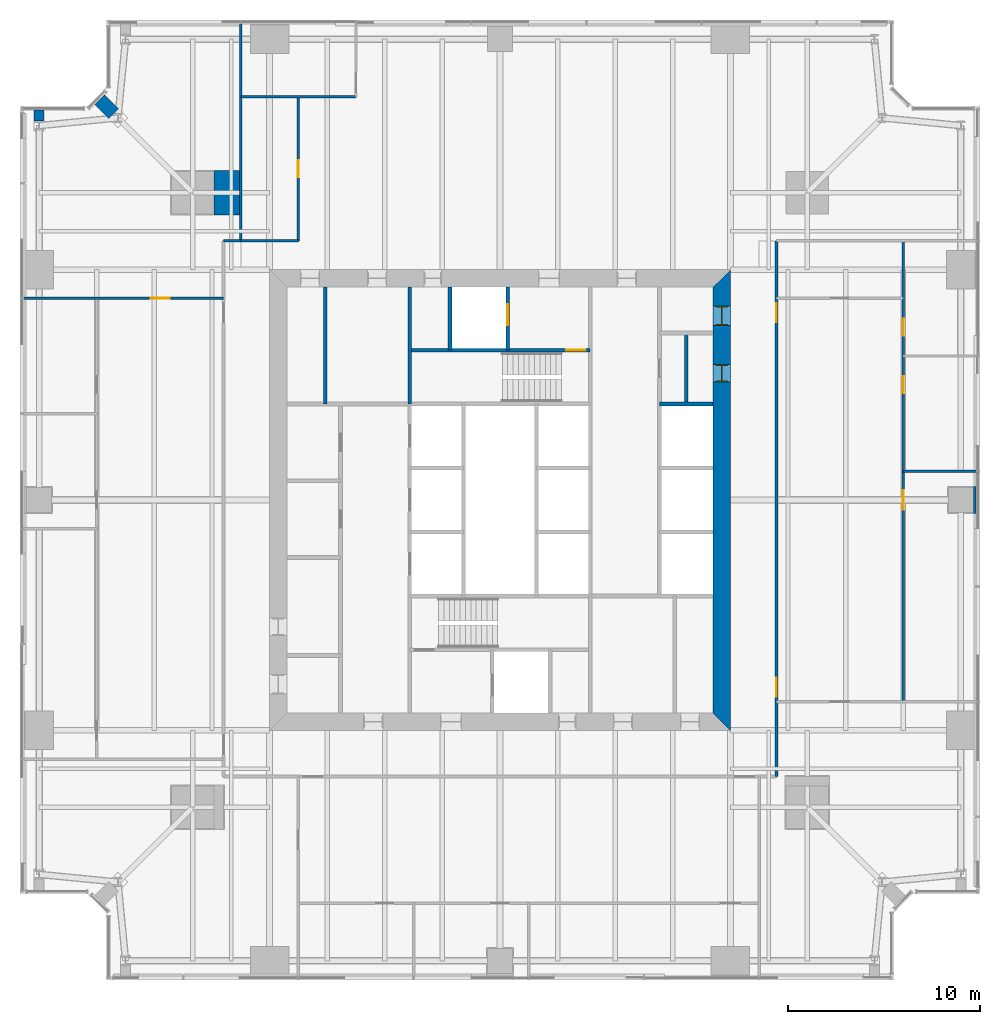
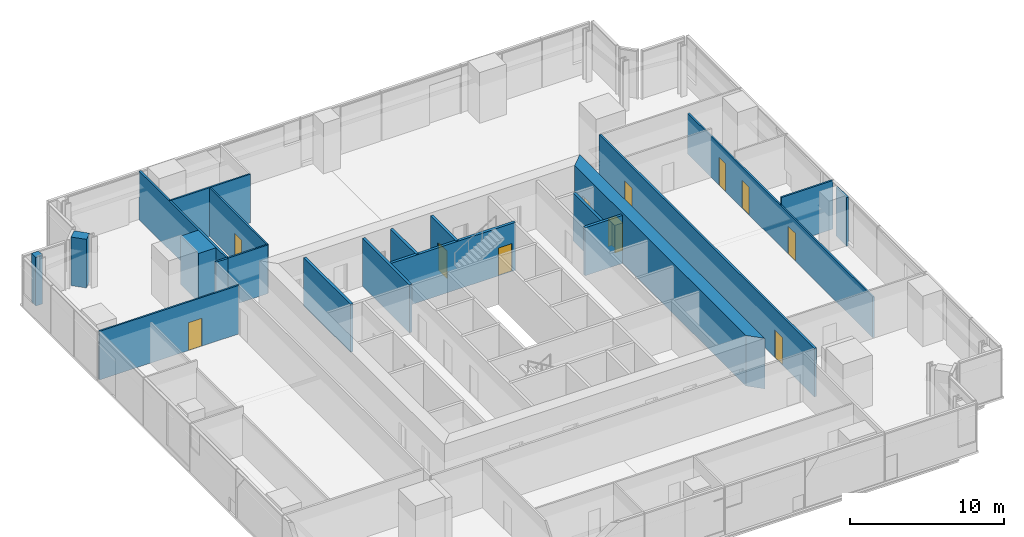
# One storey, part 11 of 14: 21 walls, 11 doors, 11 openings.
"""IFC4 building model written with IfcOpenShell, lengths in metres."""

from ifc_helpers import new_model, si_unit, direction, frame, frame_2d, origin, place, context, subcontext, project, spatial, polyline, rectangle, outline, extrude, material, layer, layer_set, type_object, element, fill, save


model = new_model("IFC4")

# Units and contexts
model_context = context("Model", 3, precision=1e-05, world=origin(), true_north=direction((0.0, 1.0)))
body_context = subcontext(model_context, "Body", "Model", "MODEL_VIEW")
ifc_project = project(units=[si_unit("LENGTHUNIT", "METRE"), si_unit("AREAUNIT", "SQUARE_METRE"), si_unit("VOLUMEUNIT", "CUBIC_METRE"), si_unit("PLANEANGLEUNIT", "RADIAN"), si_unit("MASSUNIT", "GRAM", prefix="KILO")], contexts=[model_context])

# Site, building, storey
site_placement = place(None, origin())
site = spatial("IfcSite", under=ifc_project, at=site_placement, CompositionType="ELEMENT")
building_placement = place(site_placement, origin())
building = spatial("IfcBuilding", under=site, at=building_placement, Name="Fenwick Lantern Interchange", CompositionType="ELEMENT")
storey_placement = place(building_placement, frame((0.0, 0.0, 150.39990234375)))
storey = spatial("IfcBuildingStorey", under=building, at=storey_placement, Name="L35", CompositionType="ELEMENT", Elevation=150.39990234375)

# Walls
ifc_material_1 = material(Name="Fire-rated gypsum board encasement on steel studs, 2 hour", Category="steel")
ifc_layer_1 = layer(ifc_material_1, 1.39990234375)
ifc_layer_set_1 = layer_set([ifc_layer_1], Name="COLUMN PIER 1400")
wall_type_1 = type_object("IfcWallType", Name="COLUMN PIER 1400", PredefinedType="PARTITIONING", material=ifc_layer_set_1)
wall_1_placement = place(storey_placement, frame((49.800048828125, 25.0, 0.0), z_axis=(0.0, 0.0, 1.0), x_axis=(-1.0, 0.0, 0.0)))
element("IfcWall", 1, at=wall_1_placement, inside=storey, type_object=wall_type_1, Name="L35/W/PIER/CE3", PredefinedType="PARTITIONING", context=body_context, shape_type="SweptSolid", body=[
    extrude(rectangle(XDim=0.150146484375, YDim=1.39990234375, at=frame_2d((0.0751953125, 0.0))), origin(), (0.0, 0.0, 1.0), 3.85009765625),
])
ifc_layer_2 = layer(ifc_material_1, 2.300048828125)
ifc_layer_set_2 = layer_set([ifc_layer_2], Name="COLUMN PIER 2300")
wall_type_2 = type_object("IfcWallType", Name="COLUMN PIER 2300", PredefinedType="PARTITIONING", material=ifc_layer_set_2)
wall_2_placement = place(storey_placement, frame((11.425048828125, 41.0, 0.0), z_axis=(0.0, 0.0, 1.0), x_axis=(-1.0, 0.0, 0.0)))
element("IfcWall", 2, at=wall_2_placement, inside=storey, type_object=wall_type_2, Name="L35/W/PIER/M4", PredefinedType="PARTITIONING", context=body_context, shape_type="SweptSolid", body=[
    extrude(rectangle(XDim=1.324951171875, YDim=2.300048828125, at=frame_2d((0.66259765625, 0.0))), origin(), (0.0, 0.0, 1.0), 3.85009765625),
])
ifc_layer_3 = layer(ifc_material_1, 0.52392578125)
ifc_layer_set_3 = layer_set([ifc_layer_3], Name="COLUMN PIER 524")
wall_type_3 = type_object("IfcWallType", Name="COLUMN PIER 524", PredefinedType="PARTITIONING", material=ifc_layer_set_3)
wall_3_placement = place(storey_placement, frame((1.0, 45.300048828125, 0.0), z_axis=(0.0, 0.0, 1.0), x_axis=(0.0, -1.0, 0.0)))
element("IfcWall", 3, at=wall_3_placement, inside=storey, type_object=wall_type_3, Name="L35/W/PIER/CW1", PredefinedType="PARTITIONING", context=body_context, shape_type="SweptSolid", body=[
    extrude(rectangle(XDim=0.5625, YDim=0.52392578125, at=frame_2d((0.28125, 0.0))), origin(), (0.0, 0.0, 1.0), 3.85009765625),
])
ifc_layer_4 = layer(ifc_material_1, 0.736083984375)
ifc_layer_set_4 = layer_set([ifc_layer_4], Name="COLUMN PIER 736")
wall_type_4 = type_object("IfcWallType", Name="COLUMN PIER 736", PredefinedType="PARTITIONING", material=ifc_layer_set_4)
wall_4_placement = place(storey_placement, frame((4.141357421875, 45.858642578125, 0.0), z_axis=(0.0, 0.0, 1.0), x_axis=(0.707106781187, -0.707106781187, 0.0)))
element("IfcWall", 4, at=wall_4_placement, inside=storey, type_object=wall_type_4, Name="L35/W/PIER/CNR", PredefinedType="PARTITIONING", context=body_context, shape_type="SweptSolid", body=[
    extrude(rectangle(XDim=1.037841796875, YDim=0.736083984375, at=frame_2d((0.51904296875, 0.0))), origin(), (0.0, 0.0, 1.0), 3.85009765625),
])
ifc_material_2 = material(Name="Concrete masonry ASTM C90 Grade N", Category="masonry")
ifc_layer_5 = layer(ifc_material_2, 0.199951171875)
ifc_layer_set_5 = layer_set([ifc_layer_5], Name="Concrete masonry ASTM C90 Grade N")
wall_type_5 = type_object("IfcWallType", Name="CORE PARTITION 200", PredefinedType="PARTITIONING", material=ifc_layer_set_5)
wall_5_placement = place(storey_placement, frame((36.10009765625, 30.0, 0.0), z_axis=(0.0, 0.0, 1.0), x_axis=(-1.0, 0.0, 0.0)))
element("IfcWall", 5, at=wall_5_placement, inside=storey, type_object=wall_type_5, Name="L35/W/COREN/c2", PredefinedType="PARTITIONING", context=body_context, shape_type="SweptSolid", body=[
    extrude(rectangle(XDim=2.800048828125, YDim=0.199951171875, at=frame_2d((1.39990234375, 0.0))), origin(), (0.0, 0.0, 1.0), 3.800048828125),
])

# Wall, opening, door
wall_6_placement = place(storey_placement, frame((25.39990234375, 36.10009765625, 0.0), z_axis=(0.0, 0.0, 1.0), x_axis=(0.0, -1.0, 0.0)))
wall_6 = element("IfcWall", 6, at=wall_6_placement, inside=storey, type_object=wall_type_5, Name="L35/W/COREN/h1", PredefinedType="PARTITIONING", context=body_context, shape_type="SweptSolid", body=[
    extrude(rectangle(XDim=3.300048828125, YDim=0.199951171875, at=frame_2d((1.64990234375, 0.0))), origin(), (0.0, 0.0, 1.0), 3.800048828125),
])
opening_1_placement = place(wall_6_placement, frame((0.89990234375, 0.0, 0.0)))
opening_1 = element("IfcOpeningElement", 7, at=opening_1_placement, cuts=wall_6, Name="Opening LD-FL2", PredefinedType="OPENING", context=body_context, shape_type="SweptSolid", body=[
    extrude(rectangle(XDim=1.10009765625, YDim=2.199951171875, at=frame_2d((0.550048828125, 1.10009765625))), frame((0.0, 0.10986328125, 0.0), z_axis=(0.0, -1.0, 0.0), x_axis=(1.0, 0.0, 0.0)), (0.0, 0.0, 1.0), 0.219970703125),
])
ifc_material_3 = material(Name="Steel door and frame", Category="steel")
door_type_1 = type_object("IfcDoorType", Name="LIFT LANDING DOOR 1100 X 2200", OperationType="DOUBLE_DOOR_SLIDING", PredefinedType="DOOR", material=ifc_material_3)
door_1_placement = place(opening_1_placement, origin())
door_1 = element("IfcDoor", 8, at=door_1_placement, inside=storey, type_object=door_type_1, Name="Lift landing door FL2", OperationType="DOUBLE_DOOR_SLIDING", OverallHeight=2.199951171875, OverallWidth=1.10009765625, PredefinedType="DOOR", context=body_context, shape_type="SweptSolid", body=[
    extrude(rectangle(XDim=1.10009765625, YDim=2.199951171875, at=frame_2d((0.550048828125, 1.10009765625))), frame((0.0, 0.02490234375, 0.0), z_axis=(0.0, -1.0, 0.0), x_axis=(1.0, 0.0, 0.0)), (0.0, 0.0, 1.0), 0.050048828125),
])
fill(opening_1, door_1)

# Walls
wall_7_placement = place(storey_placement, frame((22.39990234375, 36.10009765625, 0.0), z_axis=(0.0, 0.0, 1.0), x_axis=(0.0, -1.0, 0.0)))
element("IfcWall", 9, at=wall_7_placement, inside=storey, type_object=wall_type_5, Name="L35/W/COREN/h2", PredefinedType="PARTITIONING", context=body_context, shape_type="SweptSolid", body=[
    extrude(rectangle(XDim=3.300048828125, YDim=0.199951171875, at=frame_2d((1.64990234375, 0.0))), origin(), (0.0, 0.0, 1.0), 3.800048828125),
])
wall_8_placement = place(storey_placement, frame((15.89990234375, 36.10009765625, 0.0), z_axis=(0.0, 0.0, 1.0), x_axis=(0.0, -1.0, 0.0)))
element("IfcWall", 10, at=wall_8_placement, inside=storey, type_object=wall_type_5, Name="L35/W/COREN/i2", PredefinedType="PARTITIONING", context=body_context, shape_type="SweptSolid", body=[
    extrude(rectangle(XDim=6.10009765625, YDim=0.199951171875, at=frame_2d((3.050048828125, 0.0))), origin(), (0.0, 0.0, 1.0), 3.800048828125),
])
wall_9_placement = place(storey_placement, frame((34.699951171875, 33.699951171875, 0.0), z_axis=(0.0, 0.0, 1.0), x_axis=(0.0, -1.0, 0.0)))
element("IfcWall", 11, at=wall_9_placement, inside=storey, type_object=wall_type_5, Name="L35/W/COREN/px", PredefinedType="PARTITIONING", context=body_context, shape_type="SweptSolid", body=[
    extrude(rectangle(XDim=3.699951171875, YDim=0.199951171875, at=frame_2d((1.85009765625, 0.0))), origin(), (0.0, 0.0, 1.0), 3.800048828125),
])

# Wall, openings, doors
ifc_material_4 = material(Name="Concrete f'c 70 MPa", Category="concrete")
ifc_layer_6 = layer(ifc_material_4, 0.89990234375)
ifc_layer_set_6 = layer_set([ifc_layer_6], Name="CORE WALL 900")
wall_type_6 = type_object("IfcWallType", Name="CORE WALL 900", PredefinedType="SHEAR", material=ifc_layer_set_6)
wall_10_placement = place(storey_placement, frame((36.550048828125, 13.89990234375, 0.0), z_axis=(0.0, 0.0, 1.0), x_axis=(0.0, 1.0, 0.0)))
wall_10 = element("IfcWall", 12, at=wall_10_placement, inside=storey, type_object=wall_type_6, Name="L35/CORE/E", PredefinedType="SHEAR", context=body_context, shape_type="SweptSolid", body=[
    extrude(outline(polyline([(-0.89990234375, -0.449951171875), (23.10009765625, -0.449951171875), (22.199951171875, 0.449951171875), (0.0, 0.449951171875), (-0.89990234375, -0.449951171875)])), origin(), (0.0, 0.0, 1.0), 4.0),
])
opening_2_placement = place(wall_10_placement, frame((20.199951171875, 0.0, 0.0)))
opening_2 = element("IfcOpeningElement", 13, at=opening_2_placement, cuts=wall_10, Name="Opening L35-D017", PredefinedType="OPENING", context=body_context, shape_type="SweptSolid", body=[
    extrude(rectangle(XDim=1.0, YDim=2.199951171875, at=frame_2d((0.5, 1.10009765625))), frame((0.0, 0.4599609375, 0.0), z_axis=(0.0, -1.0, 0.0), x_axis=(1.0, 0.0, 0.0)), (0.0, 0.0, 1.0), 0.919921875),
])
opening_3_placement = place(wall_10_placement, frame((17.25, 0.0, 0.0)))
opening_3 = element("IfcOpeningElement", 14, at=opening_3_placement, cuts=wall_10, Name="Opening L35-D019", PredefinedType="OPENING", context=body_context, shape_type="SweptSolid", body=[
    extrude(rectangle(XDim=0.89990234375, YDim=2.199951171875, at=frame_2d((0.449951171875, 1.10009765625))), frame((0.0, 0.4599609375, 0.0), z_axis=(0.0, -1.0, 0.0), x_axis=(1.0, 0.0, 0.0)), (0.0, 0.0, 1.0), 0.919921875),
])
door_type_2 = type_object("IfcDoorType", Name="SERVICE DOOR 1000 X 2200", OperationType="SINGLE_SWING_LEFT", PredefinedType="DOOR", material=ifc_material_3)
door_2_placement = place(opening_2_placement, origin())
door_2 = element("IfcDoor", 15, at=door_2_placement, inside=storey, type_object=door_type_2, Name="Service door", OperationType="SINGLE_SWING_LEFT", OverallHeight=2.199951171875, OverallWidth=1.0, PredefinedType="DOOR", context=body_context, shape_type="SweptSolid", body=[
    extrude(rectangle(XDim=1.0, YDim=2.199951171875, at=frame_2d((0.5, 1.10009765625))), frame((0.0, 0.02490234375, 0.0), z_axis=(0.0, -1.0, 0.0), x_axis=(1.0, 0.0, 0.0)), (0.0, 0.0, 1.0), 0.050048828125),
    extrude(outline(polyline([(0.0, 0.0), (0.0400390625, 0.0), (0.0400390625, 2.159912109375), (0.9599609375, 2.159912109375), (0.9599609375, 0.0), (1.0, 0.0), (1.0, 2.199951171875), (0.0, 2.199951171875), (0.0, 0.0)])), frame((0.0, 0.300048828125, 0.0), z_axis=(0.0, -1.0, 0.0), x_axis=(1.0, 0.0, 0.0)), (0.0, 0.0, 1.0), 0.60009765625),
])
fill(opening_2, door_2)
door_type_3 = type_object("IfcDoorType", Name="SERVICE DOOR 900 X 2200", OperationType="SINGLE_SWING_LEFT", PredefinedType="DOOR", material=ifc_material_3)
door_3_placement = place(opening_3_placement, origin())
door_3 = element("IfcDoor", 16, at=door_3_placement, inside=storey, type_object=door_type_3, Name="Service door", OperationType="SINGLE_SWING_LEFT", OverallHeight=2.199951171875, OverallWidth=0.89990234375, PredefinedType="DOOR", context=body_context, shape_type="SweptSolid", body=[
    extrude(rectangle(XDim=0.89990234375, YDim=2.199951171875, at=frame_2d((0.449951171875, 1.10009765625))), frame((0.0, 0.02490234375, 0.0), z_axis=(0.0, -1.0, 0.0), x_axis=(1.0, 0.0, 0.0)), (0.0, 0.0, 1.0), 0.050048828125),
    extrude(outline(polyline([(0.0, 0.0), (0.0400390625, 0.0), (0.0400390625, 2.159912109375), (0.85986328125, 2.159912109375), (0.85986328125, 0.0), (0.89990234375, 0.0), (0.89990234375, 2.199951171875), (0.0, 2.199951171875), (0.0, 0.0)])), frame((0.0, 0.300048828125, 0.0), z_axis=(0.0, -1.0, 0.0), x_axis=(1.0, 0.0, 0.0)), (0.0, 0.0, 1.0), 0.60009765625),
])
fill(opening_3, door_3)

ifc_material_5 = material(Name="Gypsum board on steel studs, 1 hour", Category="steel")
ifc_layer_7 = layer(ifc_material_5, 0.14990234375)
ifc_layer_set_7 = layer_set([ifc_layer_7], Name="CORRIDOR WALL 150")
wall_type_7 = type_object("IfcWallType", Name="CORRIDOR WALL 150", PredefinedType="PARTITIONING", material=ifc_layer_set_7)
wall_11_placement = place(storey_placement, frame((39.39990234375, 10.60009765625, 0.0), z_axis=(0.0, 0.0, 1.0), x_axis=(0.0, 1.0, 0.0)))
wall_11 = element("IfcWall", 17, at=wall_11_placement, inside=storey, type_object=wall_type_7, Name="L35/W/OFF/E/CW2", PredefinedType="PARTITIONING", context=body_context, shape_type="SweptSolid", body=[
    extrude(rectangle(XDim=27.89990234375, YDim=0.14990234375, at=frame_2d((13.949951171875, 0.0))), origin(), (0.0, 0.0, 1.0), 3.85009765625),
])
opening_4_placement = place(wall_11_placement, frame((4.14990234375, 0.0, 0.0)))
opening_4 = element("IfcOpeningElement", 18, at=opening_4_placement, cuts=wall_11, Name="Opening L35-D026", PredefinedType="OPENING", context=body_context, shape_type="SweptSolid", body=[
    extrude(rectangle(XDim=1.0, YDim=2.199951171875, at=frame_2d((0.5, 1.10009765625))), frame((0.0, 0.0849609375, 0.0), z_axis=(0.0, -1.0, 0.0), x_axis=(1.0, 0.0, 0.0)), (0.0, 0.0, 1.0), 0.169921875),
])
opening_5_placement = place(wall_11_placement, frame((23.64990234375, 0.0, 0.0)))
opening_5 = element("IfcOpeningElement", 19, at=opening_5_placement, cuts=wall_11, Name="Opening L35-D027", PredefinedType="OPENING", context=body_context, shape_type="SweptSolid", body=[
    extrude(rectangle(XDim=1.0, YDim=2.199951171875, at=frame_2d((0.5, 1.10009765625))), frame((0.0, 0.0849609375, 0.0), z_axis=(0.0, -1.0, 0.0), x_axis=(1.0, 0.0, 0.0)), (0.0, 0.0, 1.0), 0.169921875),
])
door_type_4 = type_object("IfcDoorType", Name="SUITE ENTRANCE DOOR 1000 X 2200", OperationType="SINGLE_SWING_LEFT", PredefinedType="DOOR", material=ifc_material_3)
door_4_placement = place(opening_4_placement, origin())
door_4 = element("IfcDoor", 20, at=door_4_placement, inside=storey, type_object=door_type_4, Name="Suite entrance door", OperationType="SINGLE_SWING_LEFT", OverallHeight=2.199951171875, OverallWidth=1.0, PredefinedType="DOOR", context=body_context, shape_type="SweptSolid", body=[
    extrude(rectangle(XDim=1.0, YDim=2.199951171875, at=frame_2d((0.5, 1.10009765625))), frame((0.0, 0.02490234375, 0.0), z_axis=(0.0, -1.0, 0.0), x_axis=(1.0, 0.0, 0.0)), (0.0, 0.0, 1.0), 0.050048828125),
])
fill(opening_4, door_4)
door_5_placement = place(opening_5_placement, origin())
door_5 = element("IfcDoor", 21, at=door_5_placement, inside=storey, type_object=door_type_4, Name="Suite entrance door", OperationType="SINGLE_SWING_RIGHT", OverallHeight=2.199951171875, OverallWidth=1.0, PredefinedType="DOOR", context=body_context, shape_type="SweptSolid", body=[
    extrude(rectangle(XDim=1.0, YDim=2.199951171875, at=frame_2d((0.5, 1.10009765625))), frame((0.0, 0.02490234375, 0.0), z_axis=(0.0, -1.0, 0.0), x_axis=(1.0, 0.0, 0.0)), (0.0, 0.0, 1.0), 0.050048828125),
])
fill(opening_5, door_5)

# Walls
wall_12_placement = place(storey_placement, frame((11.5, 38.5, 0.0), z_axis=(0.0, 0.0, 1.0), x_axis=(-1.0, 0.0, 0.0)))
element("IfcWall", 22, at=wall_12_placement, inside=storey, type_object=wall_type_7, Name="L35/W/OFF/W/CWJ", PredefinedType="PARTITIONING", context=body_context, shape_type="SweptSolid", body=[
    extrude(rectangle(XDim=0.89990234375, YDim=0.14990234375, at=frame_2d((0.449951171875, 0.0))), origin(), (0.0, 0.0, 1.0), 3.85009765625),
])
ifc_material_6 = material(Name="Gypsum board on steel studs, acoustic", Category="steel")
ifc_layer_8 = layer(ifc_material_6, 0.125)
ifc_layer_set_8 = layer_set([ifc_layer_8], Name="OFFICE PARTITION 125")
wall_type_8 = type_object("IfcWallType", Name="OFFICE PARTITION 125", PredefinedType="PARTITIONING", material=ifc_layer_set_8)
wall_13_placement = place(storey_placement, frame((49.85009765625, 26.5, 0.0), z_axis=(0.0, 0.0, 1.0), x_axis=(-1.0, 0.0, 0.0)))
element("IfcWall", 23, at=wall_13_placement, inside=storey, type_object=wall_type_8, Name="L35/W/OFF/E/X265-1", PredefinedType="PARTITIONING", context=body_context, shape_type="SweptSolid", body=[
    extrude(rectangle(XDim=3.85009765625, YDim=0.125, at=frame_2d((1.925048828125, 0.0))), origin(), (0.0, 0.0, 1.0), 3.85009765625),
])

# Wall, openings, doors
wall_14_placement = place(storey_placement, frame((46.0, 14.5, 0.0), z_axis=(0.0, 0.0, 1.0), x_axis=(0.0, 1.0, 0.0)))
wall_14 = element("IfcWall", 24, at=wall_14_placement, inside=storey, type_object=wall_type_8, Name="L35/W/OFF/E/Y40-1", PredefinedType="PARTITIONING", context=body_context, shape_type="SweptSolid", body=[
    extrude(rectangle(XDim=24.0, YDim=0.125, at=frame_2d((12.0, 0.0))), origin(), (0.0, 0.0, 1.0), 3.238037109375),
])
opening_6_placement = place(wall_14_placement, frame((10.0, 0.0, 0.0)))
opening_6 = element("IfcOpeningElement", 25, at=opening_6_placement, cuts=wall_14, Name="Opening L35-D029", PredefinedType="OPENING", context=body_context, shape_type="SweptSolid", body=[
    extrude(rectangle(XDim=1.0, YDim=2.199951171875, at=frame_2d((0.5, 1.10009765625))), frame((0.0, 0.072509765625, 0.0), z_axis=(0.0, -1.0, 0.0), x_axis=(1.0, 0.0, 0.0)), (0.0, 0.0, 1.0), 0.14501953125),
])
opening_7_placement = place(wall_14_placement, frame((16.050048828125, 0.0, 0.0)))
opening_7 = element("IfcOpeningElement", 26, at=opening_7_placement, cuts=wall_14, Name="Opening L35-D030", PredefinedType="OPENING", context=body_context, shape_type="SweptSolid", body=[
    extrude(rectangle(XDim=0.89990234375, YDim=2.199951171875, at=frame_2d((0.449951171875, 1.10009765625))), frame((0.0, 0.072509765625, 0.0), z_axis=(0.0, -1.0, 0.0), x_axis=(1.0, 0.0, 0.0)), (0.0, 0.0, 1.0), 0.14501953125),
])
opening_8_placement = place(wall_14_placement, frame((19.050048828125, 0.0, 0.0)))
opening_8 = element("IfcOpeningElement", 27, at=opening_8_placement, cuts=wall_14, Name="Opening L35-D031", PredefinedType="OPENING", context=body_context, shape_type="SweptSolid", body=[
    extrude(rectangle(XDim=0.89990234375, YDim=2.199951171875, at=frame_2d((0.449951171875, 1.10009765625))), frame((0.0, 0.072509765625, 0.0), z_axis=(0.0, -1.0, 0.0), x_axis=(1.0, 0.0, 0.0)), (0.0, 0.0, 1.0), 0.14501953125),
])
ifc_material_7 = material(Name="Hardwood door and steel frame", Category="steel")
door_type_5 = type_object("IfcDoorType", Name="MEETING ROOM DOOR 1000 X 2200", OperationType="SINGLE_SWING_LEFT", PredefinedType="DOOR", material=ifc_material_7)
door_6_placement = place(opening_6_placement, frame((1.0, 0.0, 0.0), z_axis=(0.0, 0.0, 1.0), x_axis=(-1.0, 0.0, 0.0)))
door_6 = element("IfcDoor", 28, at=door_6_placement, inside=storey, type_object=door_type_5, Name="Meeting room door", OperationType="SINGLE_SWING_LEFT", OverallHeight=2.199951171875, OverallWidth=1.0, PredefinedType="DOOR", context=body_context, shape_type="SweptSolid", body=[
    extrude(rectangle(XDim=1.0, YDim=2.199951171875, at=frame_2d((0.5, 1.10009765625))), frame((0.0, 0.02490234375, 0.0), z_axis=(0.0, -1.0, 0.0), x_axis=(1.0, 0.0, 0.0)), (0.0, 0.0, 1.0), 0.050048828125),
])
fill(opening_6, door_6)
door_type_6 = type_object("IfcDoorType", Name="OFFICE DOOR 900 X 2200", OperationType="SINGLE_SWING_LEFT", PredefinedType="DOOR", material=ifc_material_7)
door_7_placement = place(opening_7_placement, frame((0.89990234375, 0.0, 0.0), z_axis=(0.0, 0.0, 1.0), x_axis=(-1.0, 0.0, 0.0)))
door_7 = element("IfcDoor", 29, at=door_7_placement, inside=storey, type_object=door_type_6, Name="Office door", OperationType="SINGLE_SWING_LEFT", OverallHeight=2.199951171875, OverallWidth=0.89990234375, PredefinedType="DOOR", context=body_context, shape_type="SweptSolid", body=[
    extrude(rectangle(XDim=0.89990234375, YDim=2.199951171875, at=frame_2d((0.449951171875, 1.10009765625))), frame((0.0, 0.02490234375, 0.0), z_axis=(0.0, -1.0, 0.0), x_axis=(1.0, 0.0, 0.0)), (0.0, 0.0, 1.0), 0.050048828125),
])
fill(opening_7, door_7)
door_8_placement = place(opening_8_placement, frame((0.89990234375, 0.0, 0.0), z_axis=(0.0, 0.0, 1.0), x_axis=(-1.0, 0.0, 0.0)))
door_8 = element("IfcDoor", 30, at=door_8_placement, inside=storey, type_object=door_type_6, Name="Office door", OperationType="SINGLE_SWING_RIGHT", OverallHeight=2.199951171875, OverallWidth=0.89990234375, PredefinedType="DOOR", context=body_context, shape_type="SweptSolid", body=[
    extrude(rectangle(XDim=0.89990234375, YDim=2.199951171875, at=frame_2d((0.449951171875, 1.10009765625))), frame((0.0, 0.02490234375, 0.0), z_axis=(0.0, -1.0, 0.0), x_axis=(1.0, 0.0, 0.0)), (0.0, 0.0, 1.0), 0.050048828125),
])
fill(opening_8, door_8)

# Wall, opening, door
wall_15_placement = place(storey_placement, frame((14.5, 46.0, 0.0), z_axis=(0.0, 0.0, 1.0), x_axis=(0.0, -1.0, 0.0)))
wall_15 = element("IfcWall", 31, at=wall_15_placement, inside=storey, type_object=wall_type_8, Name="L35/W/OFF/N/X355-1", PredefinedType="PARTITIONING", context=body_context, shape_type="SweptSolid", body=[
    extrude(rectangle(XDim=7.5, YDim=0.125, at=frame_2d((3.75, 0.0))), origin(), (0.0, 0.0, 1.0), 3.85009765625),
])
opening_9_placement = place(wall_15_placement, frame((3.300048828125, 0.0, 0.0)))
opening_9 = element("IfcOpeningElement", 32, at=opening_9_placement, cuts=wall_15, Name="Opening L35-D034", PredefinedType="OPENING", context=body_context, shape_type="SweptSolid", body=[
    extrude(rectangle(XDim=0.89990234375, YDim=2.199951171875, at=frame_2d((0.449951171875, 1.10009765625))), frame((0.0, 0.072509765625, 0.0), z_axis=(0.0, -1.0, 0.0), x_axis=(1.0, 0.0, 0.0)), (0.0, 0.0, 1.0), 0.14501953125),
])
door_9_placement = place(opening_9_placement, frame((0.89990234375, 0.0, 0.0), z_axis=(0.0, 0.0, 1.0), x_axis=(-1.0, 0.0, 0.0)))
door_9 = element("IfcDoor", 33, at=door_9_placement, inside=storey, type_object=door_type_6, Name="Office door", OperationType="SINGLE_SWING_RIGHT", OverallHeight=2.199951171875, OverallWidth=0.89990234375, PredefinedType="DOOR", context=body_context, shape_type="SweptSolid", body=[
    extrude(rectangle(XDim=0.89990234375, YDim=2.199951171875, at=frame_2d((0.449951171875, 1.10009765625))), frame((0.0, 0.02490234375, 0.0), z_axis=(0.0, -1.0, 0.0), x_axis=(1.0, 0.0, 0.0)), (0.0, 0.0, 1.0), 0.050048828125),
])
fill(opening_9, door_9)

# Walls
wall_16_placement = place(storey_placement, frame((17.5, 46.0, 0.0), z_axis=(0.0, 0.0, 1.0), x_axis=(-1.0, 0.0, 0.0)))
element("IfcWall", 34, at=wall_16_placement, inside=storey, type_object=wall_type_8, Name="L35/W/OFF/N/Y40-1", PredefinedType="PARTITIONING", context=body_context, shape_type="SweptSolid", body=[
    extrude(rectangle(XDim=6.0, YDim=0.125, at=frame_2d((3.0, 0.0))), origin(), (0.0, 0.0, 1.0), 3.85009765625),
])
wall_17_placement = place(storey_placement, frame((14.5, 38.5, 0.0), z_axis=(0.0, 0.0, 1.0), x_axis=(-1.0, 0.0, 0.0)))
element("IfcWall", 35, at=wall_17_placement, inside=storey, type_object=wall_type_8, Name="L35/W/OFF/N/CWS1", PredefinedType="PARTITIONING", context=body_context, shape_type="SweptSolid", body=[
    extrude(rectangle(XDim=3.0, YDim=0.125, at=frame_2d((1.5, 0.0))), origin(), (0.0, 0.0, 1.0), 3.85009765625),
])

# Wall, opening, door
wall_18_placement = place(storey_placement, frame((0.14990234375, 35.5, 0.0), z_axis=(0.0, 0.0, 1.0), x_axis=(1.0, 0.0, 0.0)))
wall_18 = element("IfcWall", 36, at=wall_18_placement, inside=storey, type_object=wall_type_8, Name="L35/W/OFF/W/X145-1", PredefinedType="PARTITIONING", context=body_context, shape_type="SweptSolid", body=[
    extrude(rectangle(XDim=10.4501953125, YDim=0.125, at=frame_2d((5.22509765625, 0.0))), origin(), (0.0, 0.0, 1.0), 3.85009765625),
])
opening_10_placement = place(wall_18_placement, frame((6.64990234375, 0.0, 0.0)))
opening_10 = element("IfcOpeningElement", 37, at=opening_10_placement, cuts=wall_18, Name="Opening L35-D037", PredefinedType="OPENING", context=body_context, shape_type="SweptSolid", body=[
    extrude(rectangle(XDim=1.0, YDim=2.199951171875, at=frame_2d((0.5, 1.10009765625))), frame((0.0, 0.072509765625, 0.0), z_axis=(0.0, -1.0, 0.0), x_axis=(1.0, 0.0, 0.0)), (0.0, 0.0, 1.0), 0.14501953125),
])
door_10_placement = place(opening_10_placement, origin())
door_10 = element("IfcDoor", 38, at=door_10_placement, inside=storey, type_object=door_type_5, Name="Meeting room door", OperationType="SINGLE_SWING_RIGHT", OverallHeight=2.199951171875, OverallWidth=1.0, PredefinedType="DOOR", context=body_context, shape_type="SweptSolid", body=[
    extrude(rectangle(XDim=1.0, YDim=2.199951171875, at=frame_2d((0.5, 1.10009765625))), frame((0.0, 0.02490234375, 0.0), z_axis=(0.0, -1.0, 0.0), x_axis=(1.0, 0.0, 0.0)), (0.0, 0.0, 1.0), 0.050048828125),
])
fill(opening_10, door_10)

ifc_material_8 = material(Name="Concrete f'c 45 MPa", Category="concrete")
ifc_layer_9 = layer(ifc_material_8, 0.199951171875)
ifc_layer_set_9 = layer_set([ifc_layer_9], Name="STAIR CORE WALL 200")
wall_type_9 = type_object("IfcWallType", Name="STAIR CORE WALL 200", PredefinedType="SOLIDWALL", material=ifc_layer_set_9)
wall_19_placement = place(storey_placement, frame((29.699951171875, 32.800048828125, 0.0), z_axis=(0.0, 0.0, 1.0), x_axis=(-1.0, 0.0, 0.0)))
wall_19 = element("IfcWall", 39, at=wall_19_placement, inside=storey, type_object=wall_type_9, Name="L35/W/COREN/g1", PredefinedType="SOLIDWALL", context=body_context, shape_type="SweptSolid", body=[
    extrude(rectangle(XDim=9.39990234375, YDim=0.199951171875, at=frame_2d((4.699951171875, 0.0))), origin(), (0.0, 0.0, 1.0), 3.800048828125),
])
opening_11_placement = place(wall_19_placement, frame((0.25, 0.0, 0.0)))
opening_11 = element("IfcOpeningElement", 40, at=opening_11_placement, cuts=wall_19, Name="Opening L35-D013", PredefinedType="OPENING", context=body_context, shape_type="SweptSolid", body=[
    extrude(rectangle(XDim=1.0, YDim=2.199951171875, at=frame_2d((0.5, 1.10009765625))), frame((0.0, 0.10986328125, 0.0), z_axis=(0.0, -1.0, 0.0), x_axis=(1.0, 0.0, 0.0)), (0.0, 0.0, 1.0), 0.219970703125),
])
door_type_7 = type_object("IfcDoorType", Name="STAIR DOOR 1000 X 2200", OperationType="SINGLE_SWING_LEFT", PredefinedType="DOOR", material=ifc_material_3)
door_11_placement = place(opening_11_placement, origin())
door_11 = element("IfcDoor", 41, at=door_11_placement, inside=storey, type_object=door_type_7, Name="Stair door", OperationType="SINGLE_SWING_LEFT", OverallHeight=2.199951171875, OverallWidth=1.0, PredefinedType="DOOR", context=body_context, shape_type="SweptSolid", body=[
    extrude(rectangle(XDim=1.0, YDim=2.199951171875, at=frame_2d((0.5, 1.10009765625))), frame((0.0, 0.02490234375, 0.0), z_axis=(0.0, -1.0, 0.0), x_axis=(1.0, 0.0, 0.0)), (0.0, 0.0, 1.0), 0.050048828125),
])
fill(opening_11, door_11)

# Walls
wall_20_placement = place(storey_placement, frame((20.300048828125, 36.10009765625, 0.0), z_axis=(0.0, 0.0, 1.0), x_axis=(0.0, -1.0, 0.0)))
element("IfcWall", 42, at=wall_20_placement, inside=storey, type_object=wall_type_9, Name="L35/W/COREN/i1", PredefinedType="SOLIDWALL", context=body_context, shape_type="SweptSolid", body=[
    extrude(rectangle(XDim=6.10009765625, YDim=0.199951171875, at=frame_2d((3.050048828125, 0.0))), origin(), (0.0, 0.0, 1.0), 3.800048828125),
])
ifc_material_9 = material(Name="Gypsum board on steel studs, 1 hour acoustic", Category="steel")
ifc_layer_10 = layer(ifc_material_9, 0.14990234375)
ifc_layer_set_10 = layer_set([ifc_layer_10], Name="TENANT WALL 150")
wall_type_10 = type_object("IfcWallType", Name="TENANT WALL 150", PredefinedType="PARTITIONING", material=ifc_layer_set_10)
wall_21_placement = place(storey_placement, frame((11.5, 49.85009765625, 0.0), z_axis=(0.0, 0.0, 1.0), x_axis=(0.0, -1.0, 0.0)))
element("IfcWall", 43, at=wall_21_placement, inside=storey, type_object=wall_type_10, Name="L35/W/OFF/W/BACK", PredefinedType="PARTITIONING", context=body_context, shape_type="SweptSolid", body=[
    extrude(rectangle(XDim=11.35009765625, YDim=0.14990234375, at=frame_2d((5.675048828125, 0.0))), origin(), (0.0, 0.0, 1.0), 3.85009765625),
])

save(model, "model.ifc")
